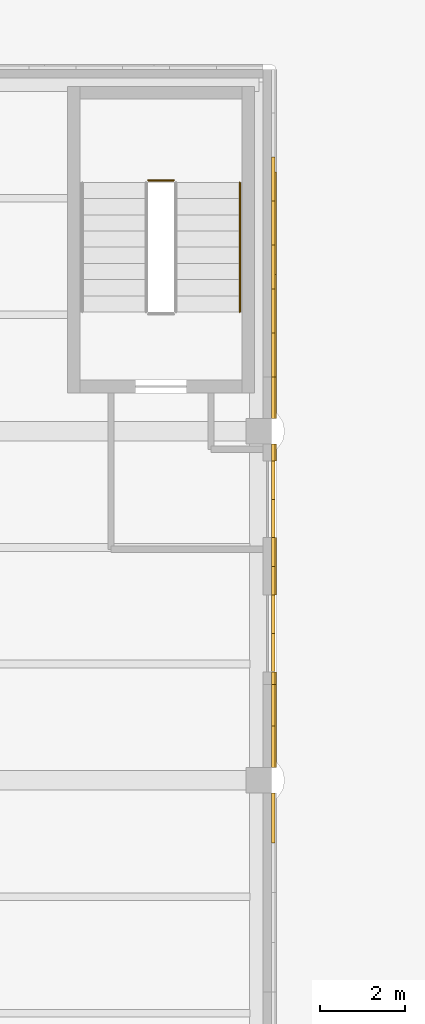
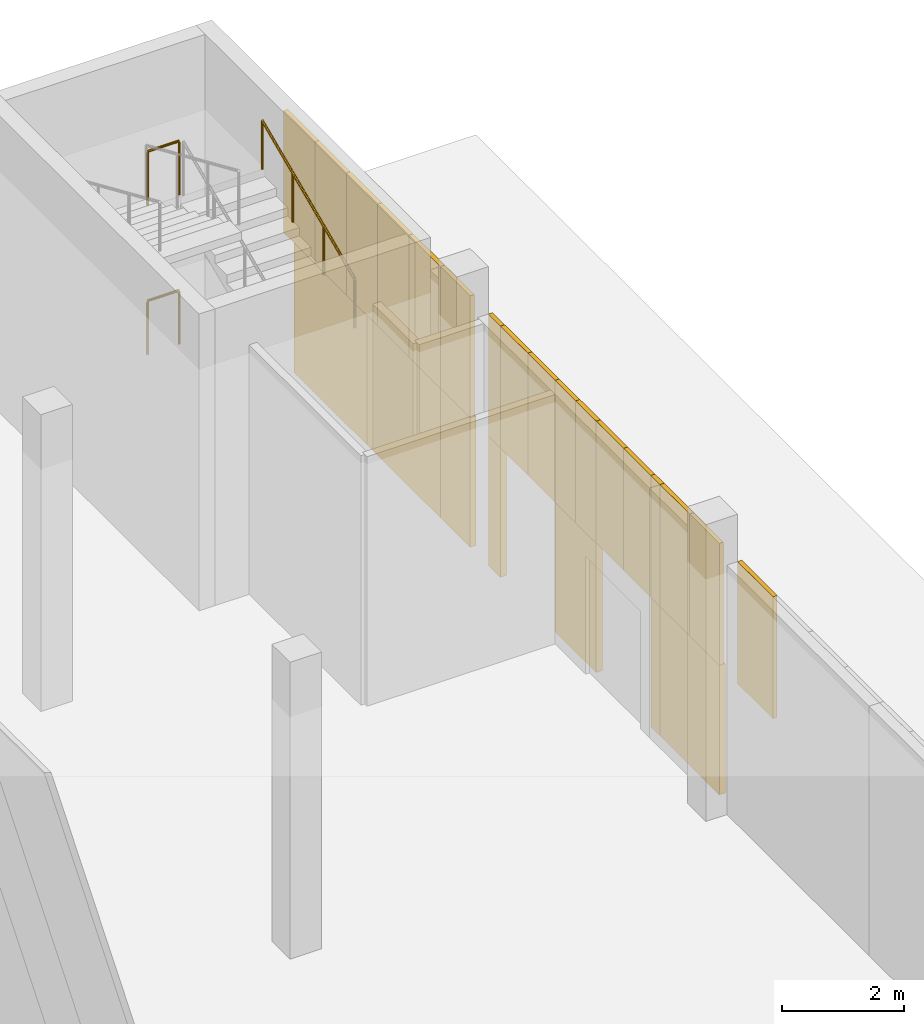
# One storey, part 151 of 155: 24 coverings, 3 railings.
"""IFC4 building model written with IfcOpenShell, lengths in metres."""

from ifc_helpers import new_model, si_unit, direction, frame, origin, origin_2d, place, context, subcontext, project, spatial, rectangle, circle, extrude, material, layer, layer_set, type_object, element, save


model = new_model("IFC4")

# Units and contexts
model_context = context("Model", 3, precision=1e-05, world=origin(), true_north=direction((0.0, 1.0)))
body_context = subcontext(model_context, "Body", "Model", "MODEL_VIEW")
ifc_project = project(units=[si_unit("LENGTHUNIT", "METRE"), si_unit("AREAUNIT", "SQUARE_METRE"), si_unit("VOLUMEUNIT", "CUBIC_METRE"), si_unit("PLANEANGLEUNIT", "RADIAN"), si_unit("MASSUNIT", "GRAM", prefix="KILO")], contexts=[model_context])

# Site, building, storey
site_placement = place(None, origin())
site = spatial("IfcSite", under=ifc_project, at=site_placement, CompositionType="ELEMENT")
building_placement = place(site_placement, origin())
building = spatial("IfcBuilding", under=site, at=building_placement, Name="Lunette Opera House", CompositionType="ELEMENT")
storey_placement = place(building_placement, origin())
storey = spatial("IfcBuildingStorey", under=building, at=storey_placement, Name="L00", CompositionType="ELEMENT", Elevation=0.0)

# Coverings
ifc_material_1 = material(Name="Clinker brick", Category="masonry")
ifc_layer_1 = layer(ifc_material_1, 0.114990234375)
ifc_layer_set_1 = layer_set([ifc_layer_1], Name="Clinker brick")
covering_type_1 = type_object("IfcCoveringType", Name="CLINKER CLADDING 115", PredefinedType="CLADDING", material=ifc_layer_set_1)
covering_1_placement = place(storey_placement, frame((184.05810546875, 120.574951171875, 0.0), z_axis=(0.0, 0.0, 1.0), x_axis=(0.0, 1.0, 0.0)))
element("IfcCovering", 1, at=covering_1_placement, inside=storey, type_object=covering_type_1, Name="Clinker Cladding 115 WB L00", PredefinedType="CLADDING", context=body_context, shape_type="SweptSolid", body=[
    extrude(rectangle(XDim=1.949951171875, YDim=0.114990234375, at=origin_2d()), origin(), (0.0, 0.0, 1.0), 2.60009765625),
])
covering_2_placement = place(storey_placement, frame((184.05810546875, 121.699951171875, 0.0), z_axis=(0.0, 0.0, 1.0), x_axis=(0.0, 1.0, 0.0)))
element("IfcCovering", 2, at=covering_2_placement, inside=storey, type_object=covering_type_1, Name="Clinker Cladding 115 WB L00", PredefinedType="CLADDING", context=body_context, shape_type="SweptSolid", body=[
    extrude(rectangle(XDim=0.300048828125, YDim=0.114990234375, at=origin_2d()), origin(), (0.0, 0.0, 1.0), 2.60009765625),
])
covering_3_placement = place(storey_placement, frame((184.05810546875, 124.324951171875, 0.0), z_axis=(0.0, 0.0, 1.0), x_axis=(0.0, 1.0, 0.0)))
element("IfcCovering", 3, at=covering_3_placement, inside=storey, type_object=covering_type_1, Name="Clinker Cladding 115 WB L00", PredefinedType="CLADDING", context=body_context, shape_type="SweptSolid", body=[
    extrude(rectangle(XDim=1.35009765625, YDim=0.114990234375, at=origin_2d()), origin(), (0.0, 0.0, 1.0), 2.60009765625),
])
covering_4_placement = place(storey_placement, frame((184.05810546875, 127.0, 0.0), z_axis=(0.0, 0.0, 1.0), x_axis=(0.0, 1.0, 0.0)))
element("IfcCovering", 4, at=covering_4_placement, inside=storey, type_object=covering_type_1, Name="Clinker Cladding 115 WB L00", PredefinedType="CLADDING", context=body_context, shape_type="SweptSolid", body=[
    extrude(rectangle(XDim=0.39990234375, YDim=0.114990234375, at=origin_2d()), origin(), (0.0, 0.0, 1.0), 2.60009765625),
])
covering_5_placement = place(storey_placement, frame((184.05810546875, 128.287109375, 0.0), z_axis=(0.0, 0.0, 1.0), x_axis=(0.0, 1.0, 0.0)))
element("IfcCovering", 5, at=covering_5_placement, inside=storey, type_object=covering_type_1, Name="Clinker Cladding 115 WB L00", PredefinedType="CLADDING", context=body_context, shape_type="SweptSolid", body=[
    extrude(rectangle(XDim=0.97509765625, YDim=0.114990234375, at=origin_2d()), origin(), (0.0, 0.0, 1.0), 2.60009765625),
])
for number, where, z_axis, x_axis, name in (
    (6, (184.05810546875, 129.97900390625, 0.0), (0.0, 0.0, 1.0), (0.0, 1.0, 0.0), "Clinker Cladding 115 WB L00"),
    (7, (184.05810546875, 132.386962890625, 0.0), (0.0, 0.0, 1.0), (0.0, 1.0, 0.0), "Clinker Cladding 115 WB L00"),
):
    element("IfcCovering", number, at=place(storey_placement, frame(where, z_axis=z_axis, x_axis=x_axis)), inside=storey, type_object=covering_type_1, Name=name, PredefinedType="CLADDING", context=body_context, shape_type="SweptSolid", body=[
        extrude(rectangle(XDim=2.407958984375, YDim=0.114990234375, at=origin_2d()), origin(), (0.0, 0.0, 1.0), 2.60009765625),
    ])
ifc_material_2 = material(Name="Dark grey aluminium cassette", Category="aluminium")
ifc_layer_2 = layer(ifc_material_2, 0.080078125)
ifc_layer_set_2 = layer_set([ifc_layer_2], Name="Dark grey aluminium cassette")
covering_type_2 = type_object("IfcCoveringType", Name="DARK METAL CASSETTE 80", PredefinedType="CLADDING", material=ifc_layer_set_2)
covering_6_placement = place(storey_placement, frame((184.0400390625, 118.416015625, 2.60009765625), z_axis=(0.0, 0.0, 1.0), x_axis=(0.0, 1.0, 0.0)))
element("IfcCovering", 8, at=covering_6_placement, inside=storey, type_object=covering_type_2, Name="Dark Metal Cassette 80 WK L00", PredefinedType="CLADDING", context=body_context, shape_type="SweptSolid", body=[
    extrude(rectangle(XDim=1.1689453125, YDim=0.080078125, at=origin_2d()), origin(), (0.0, 0.0, 1.0), 2.449951171875),
])
for number, where, z_axis, x_axis, name in (
    (9, (184.0400390625, 120.0869140625, 2.60009765625), (0.0, 0.0, 1.0), (0.0, 1.0, 0.0), "Dark Metal Cassette 80 WK L00"),
    (10, (184.0400390625, 121.06201171875, 2.60009765625), (0.0, 0.0, 1.0), (0.0, 1.0, 0.0), "Dark Metal Cassette 80 WK L00"),
):
    element("IfcCovering", number, at=place(storey_placement, frame(where, z_axis=z_axis, x_axis=x_axis)), inside=storey, type_object=covering_type_2, Name=name, PredefinedType="CLADDING", context=body_context, shape_type="SweptSolid", body=[
        extrude(rectangle(XDim=0.97509765625, YDim=0.080078125, at=origin_2d()), origin(), (0.0, 0.0, 1.0), 2.449951171875),
    ])
covering_7_placement = place(storey_placement, frame((184.0400390625, 121.699951171875, 2.60009765625), z_axis=(0.0, 0.0, 1.0), x_axis=(0.0, 1.0, 0.0)))
element("IfcCovering", 11, at=covering_7_placement, inside=storey, type_object=covering_type_2, Name="Dark Metal Cassette 80 WK L00", PredefinedType="CLADDING", context=body_context, shape_type="SweptSolid", body=[
    extrude(rectangle(XDim=0.300048828125, YDim=0.080078125, at=origin_2d()), origin(), (0.0, 0.0, 1.0), 2.449951171875),
])
for number, where, z_axis, x_axis, name in (
    (12, (184.0400390625, 122.300048828125, 2.60009765625), (0.0, 0.0, 1.0), (0.0, 1.0, 0.0), "Dark Metal Cassette 80 WK L00"),
    (13, (184.0400390625, 123.199951171875, 2.60009765625), (0.0, 0.0, 1.0), (0.0, 1.0, 0.0), "Dark Metal Cassette 80 WK L00"),
):
    element("IfcCovering", number, at=place(storey_placement, frame(where, z_axis=z_axis, x_axis=x_axis)), inside=storey, type_object=covering_type_2, Name=name, PredefinedType="CLADDING", context=body_context, shape_type="SweptSolid", body=[
        extrude(rectangle(XDim=0.89990234375, YDim=0.080078125, at=origin_2d()), origin(), (0.0, 0.0, 1.0), 2.449951171875),
    ])
for number, where, z_axis, x_axis, name in (
    (14, (184.0400390625, 123.987060546875, 2.60009765625), (0.0, 0.0, 1.0), (0.0, 1.0, 0.0), "Dark Metal Cassette 80 WK L00"),
    (15, (184.0400390625, 124.662109375, 2.60009765625), (0.0, 0.0, 1.0), (0.0, 1.0, 0.0), "Dark Metal Cassette 80 WK L00"),
):
    element("IfcCovering", number, at=place(storey_placement, frame(where, z_axis=z_axis, x_axis=x_axis)), inside=storey, type_object=covering_type_2, Name=name, PredefinedType="CLADDING", context=body_context, shape_type="SweptSolid", body=[
        extrude(rectangle(XDim=0.675048828125, YDim=0.080078125, at=origin_2d()), origin(), (0.0, 0.0, 1.0), 2.449951171875),
    ])
for number, where, z_axis, x_axis, name in (
    (16, (184.0400390625, 125.449951171875, 2.60009765625), (0.0, 0.0, 1.0), (0.0, 1.0, 0.0), "Dark Metal Cassette 80 WK L00"),
    (17, (184.0400390625, 126.35009765625, 2.60009765625), (0.0, 0.0, 1.0), (0.0, 1.0, 0.0), "Dark Metal Cassette 80 WK L00"),
):
    element("IfcCovering", number, at=place(storey_placement, frame(where, z_axis=z_axis, x_axis=x_axis)), inside=storey, type_object=covering_type_2, Name=name, PredefinedType="CLADDING", context=body_context, shape_type="SweptSolid", body=[
        extrude(rectangle(XDim=0.89990234375, YDim=0.080078125, at=origin_2d()), origin(), (0.0, 0.0, 1.0), 2.449951171875),
    ])
covering_8_placement = place(storey_placement, frame((184.0400390625, 127.0, 2.60009765625), z_axis=(0.0, 0.0, 1.0), x_axis=(0.0, 1.0, 0.0)))
element("IfcCovering", 18, at=covering_8_placement, inside=storey, type_object=covering_type_2, Name="Dark Metal Cassette 80 WK L00", PredefinedType="CLADDING", context=body_context, shape_type="SweptSolid", body=[
    extrude(rectangle(XDim=0.39990234375, YDim=0.080078125, at=origin_2d()), origin(), (0.0, 0.0, 1.0), 2.449951171875),
])
covering_9_placement = place(storey_placement, frame((184.0400390625, 128.287109375, 2.60009765625), z_axis=(0.0, 0.0, 1.0), x_axis=(0.0, 1.0, 0.0)))
element("IfcCovering", 19, at=covering_9_placement, inside=storey, type_object=covering_type_2, Name="Dark Metal Cassette 80 WK L00", PredefinedType="CLADDING", context=body_context, shape_type="SweptSolid", body=[
    extrude(rectangle(XDim=0.97509765625, YDim=0.080078125, at=origin_2d()), origin(), (0.0, 0.0, 1.0), 2.449951171875),
])
for number, where, z_axis, x_axis, name in (
    (20, (184.0400390625, 129.291015625, 2.60009765625), (0.0, 0.0, 1.0), (0.0, 1.0, 0.0), "Dark Metal Cassette 80 WK L00"),
    (21, (184.0400390625, 130.322998046875, 2.60009765625), (0.0, 0.0, 1.0), (0.0, 1.0, 0.0), "Dark Metal Cassette 80 WK L00"),
    (22, (184.0400390625, 131.35498046875, 2.60009765625), (0.0, 0.0, 1.0), (0.0, 1.0, 0.0), "Dark Metal Cassette 80 WK L00"),
    (23, (184.0400390625, 132.386962890625, 2.60009765625), (0.0, 0.0, 1.0), (0.0, 1.0, 0.0), "Dark Metal Cassette 80 WK L00"),
    (24, (184.0400390625, 133.419921875, 2.60009765625), (0.0, 0.0, 1.0), (0.0, 1.0, 0.0), "Dark Metal Cassette 80 WK L00"),
):
    element("IfcCovering", number, at=place(storey_placement, frame(where, z_axis=z_axis, x_axis=x_axis)), inside=storey, type_object=covering_type_2, Name=name, PredefinedType="CLADDING", context=body_context, shape_type="SweptSolid", body=[
        extrude(rectangle(XDim=1.031982421875, YDim=0.080078125, at=origin_2d()), origin(), (0.0, 0.0, 1.0), 2.449951171875),
    ])

# Railings
ifc_material_3 = material(Name="Steel S355", Category="steel")
railing_type_1 = type_object("IfcRailingType", Name="STAIR GUARD 1100", PredefinedType="GUARDRAIL", material=ifc_material_3)
for number, where, name in (
    (25, (181.699951171875, 133.389892578125, 1.5), "L00 ST19 stair guard 2"),
    (26, (181.699951171875, 133.389892578125, 4.5), "L00 ST19 stair guard 6"),
):
    element("IfcRailing", number, at=place(storey_placement, frame(where)), inside=storey, type_object=railing_type_1, Name=name, PredefinedType="GUARDRAIL", context=body_context, shape_type="SweptSolid", body=[
        extrude(circle(Radius=0.02392578125, at=origin_2d()), frame((0.0, 0.0, 1.076171875), z_axis=(-1.0, 0.0, 0.0), x_axis=(0.0, -1.0, 0.0)), (0.0, 0.0, 1.0), 0.599853515625),
        extrude(circle(Radius=0.02099609375, at=origin_2d()), origin(), (0.0, 0.0, 1.0), 1.052001953125),
        extrude(circle(Radius=0.02099609375, at=origin_2d()), frame((-0.599853515625, 0.0, 0.0)), (0.0, 0.0, 1.0), 1.052001953125),
    ])
ifc_material_4 = material(Name="Steel S355", Category="steel")
railing_type_2 = type_object("IfcRailingType", Name="STAIR HANDRAIL 1000", PredefinedType="HANDRAIL", material=ifc_material_4)
railing_placement = place(storey_placement, frame((183.25, 130.300048828125, 3.166748046875)))
element("IfcRailing", 27, at=railing_placement, inside=storey, type_object=railing_type_2, Name="L00 ST19 stair handrail 3", PredefinedType="HANDRAIL", context=body_context, shape_type="SweptSolid", body=[
    extrude(circle(Radius=0.02392578125, at=origin_2d()), frame((0.0, 0.0, 0.97607421875), z_axis=(0.0, 0.915799124602, 0.401636606124), x_axis=(-1.0, 0.0, 0.0)), (0.0, 0.0, 1.0), 3.319580078125),
    extrude(circle(Radius=0.02099609375, at=origin_2d()), origin(), (0.0, 0.0, 1.0), 0.951904296875),
    extrude(circle(Radius=0.02099609375, at=origin_2d()), frame((0.0, 1.013427734375, 0.4443359375)), (0.0, 0.0, 1.0), 0.951904296875),
    extrude(circle(Radius=0.02099609375, at=origin_2d()), frame((0.0, 2.026611328125, 0.888916015625)), (0.0, 0.0, 1.0), 0.951904296875),
    extrude(circle(Radius=0.02099609375, at=origin_2d()), frame((0.0, 3.0400390625, 1.333251953125)), (0.0, 0.0, 1.0), 0.951904296875),
])

save(model, "model.ifc")
